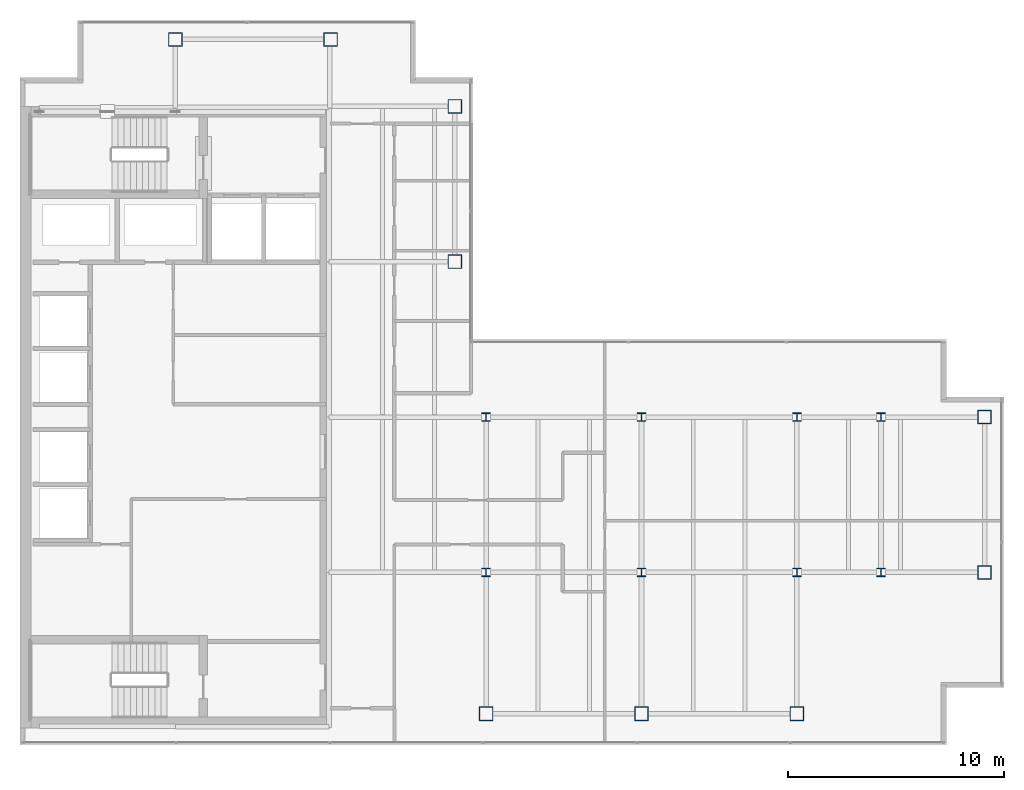
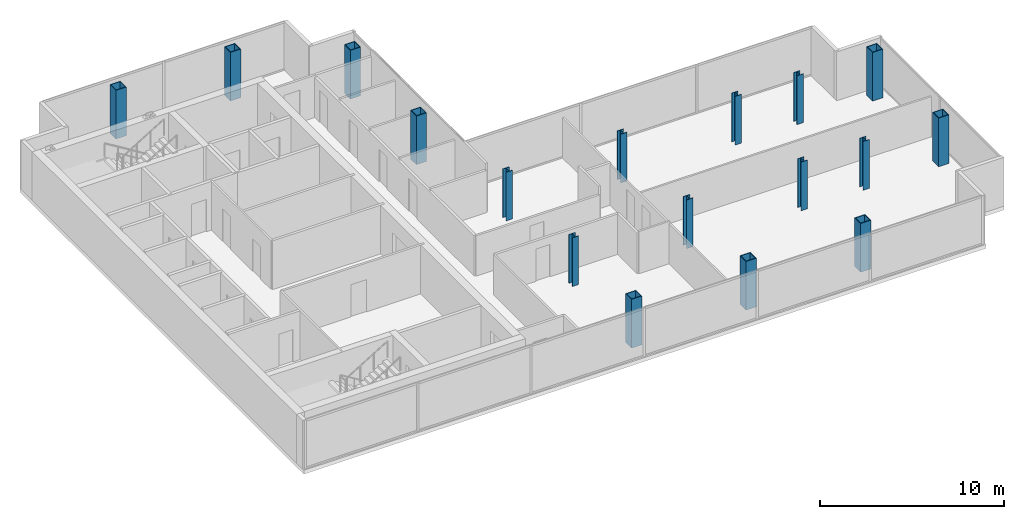
# One storey, part 1 of 23: 17 columns.
"""IFC4 building model written with IfcOpenShell, lengths in metres."""

from ifc_helpers import new_model, si_unit, direction, frame, origin, origin_2d, place, context, subcontext, project, spatial, hollow_rectangle, i_section, extrude, material, material_profile, profile_set, type_object, element, save


model = new_model("IFC4")

# Units and contexts
model_context = context("Model", 3, precision=1e-05, world=origin(), true_north=direction((0.0, 1.0)))
body_context = subcontext(model_context, "Body", "Model", "MODEL_VIEW")
ifc_project = project(units=[si_unit("LENGTHUNIT", "METRE"), si_unit("AREAUNIT", "SQUARE_METRE"), si_unit("VOLUMEUNIT", "CUBIC_METRE"), si_unit("PLANEANGLEUNIT", "RADIAN"), si_unit("MASSUNIT", "GRAM", prefix="KILO")], contexts=[model_context])

# Site, building, storey
site_placement = place(None, origin())
site = spatial("IfcSite", under=ifc_project, at=site_placement, CompositionType="ELEMENT")
building_placement = place(site_placement, origin())
building = spatial("IfcBuilding", under=site, at=building_placement, Name="Cobrela Telecom Tower", CompositionType="ELEMENT")
storey_placement = place(building_placement, frame((0.0, 0.0, 283.14990234375)))
storey = spatial("IfcBuildingStorey", under=building, at=storey_placement, Name="L74", CompositionType="ELEMENT", Elevation=283.14990234375)

# Columns
ifc_material_1 = material(Name="Steel ASTM A992 Grade 50", Category="steel")
ifc_material_profile_1 = material_profile(ifc_material_1, i_section(OverallWidth=0.39892578125, OverallDepth=0.39404296875, WebThickness=0.022705078125, FlangeThickness=0.03662109375, FilletRadius=0.01806640625, at=origin_2d()), Name="W14X193")
ifc_profile_set_1 = profile_set([ifc_material_profile_1], Name="Steel ASTM A992 Grade 50")
column_type_1 = type_object("IfcColumnType", Name="COL-INT-06", PredefinedType="COLUMN", material=ifc_profile_set_1)
for number, where, z_axis, x_axis, name in (
    (1, (21.60009765625, 14.39990234375, 0.0), (0.0, 0.0, 1.0), (1.0, 0.0, 0.0), "L74 Interior Column 06"),
    (2, (21.60009765625, 21.60009765625, 0.0), (0.0, 0.0, 1.0), (1.0, 0.0, 0.0), "L74 Interior Column 07"),
    (3, (28.800048828125, 14.39990234375, 0.0), (0.0, 0.0, 1.0), (1.0, 0.0, 0.0), "L74 Interior Column 09"),
    (4, (28.800048828125, 21.60009765625, 0.0), (0.0, 0.0, 1.0), (1.0, 0.0, 0.0), "L74 Interior Column 10"),
    (5, (36.0, 14.39990234375, 0.0), (0.0, 0.0, 1.0), (1.0, 0.0, 0.0), "L74 Interior Column 12"),
    (6, (36.0, 21.60009765625, 0.0), (0.0, 0.0, 1.0), (1.0, 0.0, 0.0), "L74 Interior Column 13"),
    (7, (39.89990234375, 14.39990234375, 0.0), (0.0, 0.0, 1.0), (1.0, 0.0, 0.0), "L74 Interior Column 14"),
    (8, (39.89990234375, 21.60009765625, 0.0), (0.0, 0.0, 1.0), (1.0, 0.0, 0.0), "L74 Interior Column 15"),
):
    element("IfcColumn", number, at=place(storey_placement, frame(where, z_axis=z_axis, x_axis=x_axis)), inside=storey, type_object=column_type_1, Name=name, PredefinedType="COLUMN", context=body_context, shape_type="SweptSolid", body=[
        extrude(i_section(OverallWidth=0.39892578125, OverallDepth=0.39404296875, WebThickness=0.022705078125, FlangeThickness=0.03662109375, FilletRadius=0.01806640625, at=origin_2d()), origin(), (0.0, 0.0, 1.0), 3.239990234375),
    ])
ifc_material_2 = material(Name="Steel ASTM A572 Grade 50", Category="steel")
ifc_material_profile_2 = material_profile(ifc_material_2, hollow_rectangle(XDim=0.64990234375, YDim=0.64990234375, WallThickness=0.0400390625, at=origin_2d()), Name="BOX 650x650x40")
ifc_profile_set_2 = profile_set([ifc_material_profile_2], Name="Steel ASTM A572 Grade 50")
column_type_2 = type_object("IfcColumnType", Name="COL-MEGA-09", PredefinedType="COLUMN", material=ifc_profile_set_2)
for number, where, z_axis, x_axis, name in (
    (9, (7.199951171875, 39.10009765625, 0.0), (0.0, 0.0, 1.0), (1.0, 0.0, 0.0), "L74 Perimeter Mega-Column 01"),
    (10, (14.39990234375, 39.10009765625, 0.0), (0.0, 0.0, 1.0), (1.0, 0.0, 0.0), "L74 Perimeter Mega-Column 02"),
    (11, (20.14990234375, 28.800048828125, 0.0), (0.0, 0.0, 1.0), (1.0, 0.0, 0.0), "L74 Perimeter Mega-Column 03"),
    (12, (20.14990234375, 36.0, 0.0), (0.0, 0.0, 1.0), (1.0, 0.0, 0.0), "L74 Perimeter Mega-Column 04"),
    (13, (21.60009765625, 7.85009765625, 0.0), (0.0, 0.0, 1.0), (1.0, 0.0, 0.0), "L74 Perimeter Mega-Column 05"),
    (14, (28.800048828125, 7.85009765625, 0.0), (0.0, 0.0, 1.0), (1.0, 0.0, 0.0), "L74 Perimeter Mega-Column 08"),
    (15, (36.0, 7.85009765625, 0.0), (0.0, 0.0, 1.0), (1.0, 0.0, 0.0), "L74 Perimeter Mega-Column 11"),
    (16, (44.699951171875, 14.39990234375, 0.0), (0.0, 0.0, 1.0), (1.0, 0.0, 0.0), "L74 Perimeter Mega-Column 16"),
    (17, (44.699951171875, 21.60009765625, 0.0), (0.0, 0.0, 1.0), (1.0, 0.0, 0.0), "L74 Perimeter Mega-Column 17"),
):
    element("IfcColumn", number, at=place(storey_placement, frame(where, z_axis=z_axis, x_axis=x_axis)), inside=storey, type_object=column_type_2, Name=name, PredefinedType="COLUMN", context=body_context, shape_type="SweptSolid", body=[
        extrude(hollow_rectangle(XDim=0.64990234375, YDim=0.64990234375, WallThickness=0.0400390625, at=origin_2d()), origin(), (0.0, 0.0, 1.0), 3.239990234375),
    ])

save(model, "model.ifc")
